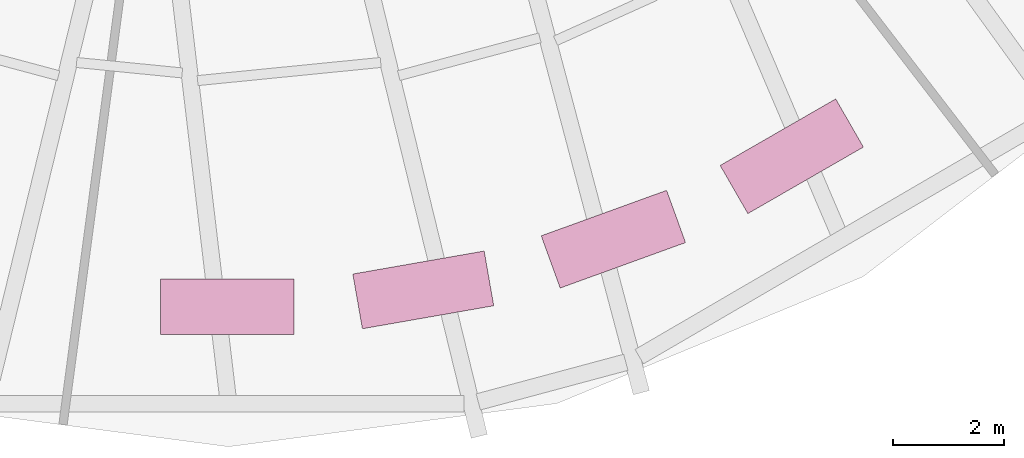
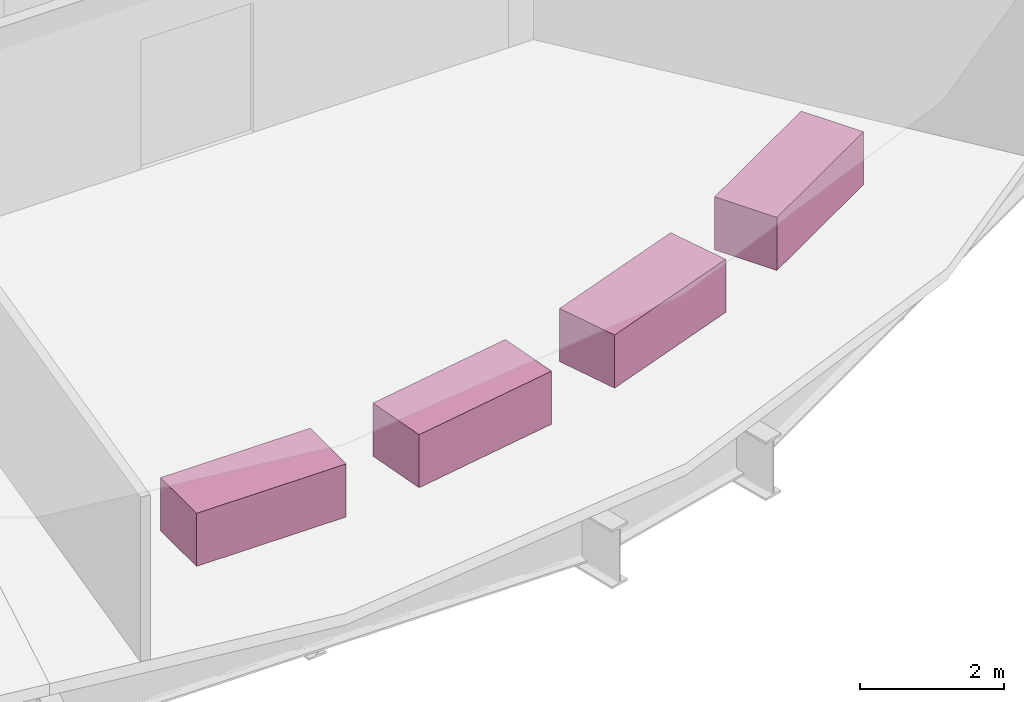
# One storey, part 7 of 7: 4 furniture elements.
"""IFC4 building model written with IfcOpenShell, lengths in metres."""

import ifcopenshell
import ifcopenshell.guid

model = None  # the IFC model being written
_history = None  # IfcOwnerHistory: only IFC2X3 demands one
_inside = {}  # id of a spatial element -> (the spatial element, [elements in it])
_under = {}  # id of a project, library or spatial element -> (it, [spatial elements below it])
_declared = {}  # id of a project -> (the project, [libraries it declares])
_typed = {}  # id of a type object -> (the type object, [elements of that type])
_made_of = {}  # id of a material, layer set ... -> (it, [elements and type objects made of it])


def new_model(schema):
    """Start an empty IFC model of exactly this schema.

    Asked for "IFC4X3", IfcOpenShell would pick the latest addendum, in which some entities
    have other attributes; the version numbers below select the first issue.
    IFC2X3 requires an IfcOwnerHistory on every rooted entity: one is made here for all.
    """
    global model, _history
    if schema == "IFC4X3":
        model = ifcopenshell.file(schema_version=(4, 3, 0, 0))
    else:
        model = ifcopenshell.file(schema=schema)
    _inside.clear()
    _under.clear()
    _declared.clear()
    _typed.clear()
    _made_of.clear()
    _history = None
    if model.schema == "IFC2X3":
        org = make("IfcOrganization", Name="unknown")
        user = make(
            "IfcPersonAndOrganization",
            ThePerson=make("IfcPerson", FamilyName="unknown"),
            TheOrganization=org,
        )
        app = make(
            "IfcApplication",
            ApplicationDeveloper=org,
            Version="unknown",
            ApplicationFullName="unknown",
            ApplicationIdentifier="unknown",
        )
        _history = make(
            "IfcOwnerHistory",
            OwningUser=user,
            OwningApplication=app,
            ChangeAction="ADDED",
            CreationDate=0,
        )
    return model


def make(cls, **values):
    """One entity of the class cls with the attributes given. An attribute that is None is left unset."""
    return model.create_entity(
        cls, **{name: value for name, value in values.items() if value is not None}
    )


def rooted(cls, **values):
    """An entity with a GlobalId (a new one), such as an element, a storey or a relation."""
    return make(cls, GlobalId=ifcopenshell.guid.new(), OwnerHistory=_history, **values)


def si_unit(unit_type, name, prefix=None):
    """IfcSIUnit, for example si_unit("LENGTHUNIT", "METRE", prefix="MILLI")."""
    return make("IfcSIUnit", UnitType=unit_type, Prefix=prefix, Name=name)


def assignment(units):
    """IfcUnitAssignment: the units of a project."""
    return None if units is None else make("IfcUnitAssignment", Units=units)


def point(xyz):
    """IfcCartesianPoint."""
    return None if xyz is None else make("IfcCartesianPoint", Coordinates=xyz)


def direction(xyz):
    """IfcDirection."""
    return None if xyz is None else make("IfcDirection", DirectionRatios=xyz)


def frame(location, z_axis=None, x_axis=None):
    """IfcAxis2Placement3D, a coordinate frame: its origin and axes. An axis left out is left unset."""
    return make(
        "IfcAxis2Placement3D",
        Location=point(location),
        Axis=direction(z_axis),
        RefDirection=direction(x_axis),
    )


def frame_2d(location, x_axis=None):
    """IfcAxis2Placement2D, a coordinate frame in the plane: its origin and x axis."""
    return make(
        "IfcAxis2Placement2D", Location=point(location), RefDirection=direction(x_axis)
    )


def origin():
    """The frame at (0, 0, 0) with its axes left unset."""
    return frame((0.0, 0.0, 0.0))


def origin_2d():
    """The frame at (0, 0) in the plane with its x axis left unset."""
    return frame_2d((0.0, 0.0))


def place(relative_to, where):
    """IfcLocalPlacement: puts the frame where relative to a parent placement (None: the world)."""
    return make(
        "IfcLocalPlacement", PlacementRelTo=relative_to, RelativePlacement=where
    )


def context(
    kind, dimensions, precision=None, world=None, true_north=None, identifier=None
):
    """IfcGeometricRepresentationContext, for example the 3D "Model" context."""
    return make(
        "IfcGeometricRepresentationContext",
        ContextIdentifier=identifier,
        ContextType=kind,
        CoordinateSpaceDimension=dimensions,
        Precision=precision,
        WorldCoordinateSystem=world,
        TrueNorth=true_north,
    )


def subcontext(parent, identifier, kind, view, scale=None):
    """IfcGeometricRepresentationSubContext, for example "Body" below "Model"."""
    return make(
        "IfcGeometricRepresentationSubContext",
        ContextIdentifier=identifier,
        ContextType=kind,
        ParentContext=parent,
        TargetScale=scale,
        TargetView=view,
    )


def project(units=None, contexts=None):
    """IfcProject with its units and contexts."""
    return rooted(
        "IfcProject",
        Name="project",
        RepresentationContexts=contexts,
        UnitsInContext=assignment(units),
    )


def spatial(cls, under=None, at=None, **own):
    """A site, building, storey or space (cls), placed at a placement, below another one or the project."""
    s = rooted(cls, ObjectPlacement=at, **own)
    if under is not None:
        _under.setdefault(under.id(), (under, []))[1].append(s)
    return s


def profile(cls, at=None, kind="AREA", **sizes):
    """A parametric profile (cls). Its sizes go by their IFC names, for example OverallWidth=200.0."""
    return make(cls, ProfileType=kind, Position=at, **sizes)


def rectangle(**sizes):
    """IfcRectangleProfileDef."""
    return profile("IfcRectangleProfileDef", **sizes)


def extrude(swept, where, along, depth):
    """IfcExtrudedAreaSolid: the profile swept, set in the frame where, extruded along a direction by depth."""
    return make(
        "IfcExtrudedAreaSolid",
        SweptArea=swept,
        Position=where,
        ExtrudedDirection=direction(along),
        Depth=depth,
    )


def shape(context_of_items, identifier, shape_type, items):
    """IfcShapeRepresentation: the items that make up one representation, for example the "Body"."""
    return make(
        "IfcShapeRepresentation",
        ContextOfItems=context_of_items,
        RepresentationIdentifier=identifier,
        RepresentationType=shape_type,
        Items=items,
    )


def made_of(thing, what):
    """Note that an element or type object is made of a material, layer set ...; save() writes the relation."""
    if what is not None:
        _made_of.setdefault(what.id(), (what, []))[1].append(thing)
    return thing


def element(
    cls,
    number,
    at=None,
    inside=None,
    cuts=None,
    type_object=None,
    material=None,
    context=None,
    identifier="Body",
    shape_type=None,
    held_by="IfcProductDefinitionShape",
    body=None,
    shapes=None,
    **own,
):
    """One element of the class cls, such as IfcWall. Its Tag is "e" and its number.

    at: its placement. inside: the storey or other place that contains it. cuts: it is an
    opening in that element (IfcRelVoidsElement). A single representation is given by context,
    identifier, shape_type and body (its items); several are given by shapes. held_by: the class
    of the entity that holds the representations. save() writes the other relations.
    """
    e = rooted(cls, Tag="e%d" % number, ObjectPlacement=at, **own)
    if body is not None:
        shapes = [shape(context, identifier, shape_type, body)]
    if shapes is not None:
        e.Representation = make(held_by, Representations=shapes)
    if inside is not None:
        _inside.setdefault(inside.id(), (inside, []))[1].append(e)
    if cuts is not None:
        rooted(
            "IfcRelVoidsElement", RelatingBuildingElement=cuts, RelatedOpeningElement=e
        )
    if type_object is not None:
        _typed.setdefault(type_object.id(), (type_object, []))[1].append(e)
    return made_of(e, material)


def aggregate(whole, parts):
    """IfcRelAggregates: a whole, such as a stair, and the parts it consists of."""
    return rooted("IfcRelAggregates", RelatingObject=whole, RelatedObjects=parts)


def save(model, path):
    """Write the relations noted so far, then the file.

    IfcRelAggregates (storeys below a building ...), IfcRelContainedInSpatialStructure (elements
    in a storey), IfcRelDefinesByType, IfcRelAssociatesMaterial and IfcRelDeclares: one each for
    every whole, place, type object, material and project.
    """
    for whole, parts in _under.values():
        aggregate(whole, parts)
    for where, things in _inside.values():
        rooted(
            "IfcRelContainedInSpatialStructure",
            RelatedElements=things,
            RelatingStructure=where,
        )
    for kind, things in _typed.values():
        rooted("IfcRelDefinesByType", RelatedObjects=things, RelatingType=kind)
    for what, things in _made_of.values():
        rooted("IfcRelAssociatesMaterial", RelatedObjects=things, RelatingMaterial=what)
    for by, libraries in _declared.values():
        rooted("IfcRelDeclares", RelatingContext=by, RelatedDefinitions=libraries)
    model.write(path)


model = new_model("IFC4")

# Units and contexts
model_context = context("Model", 3, precision=1e-05, world=origin(), true_north=direction((0.0, 1.0)))
body_context = subcontext(model_context, "Body", "Model", "MODEL_VIEW")
ifc_project = project(units=[si_unit("LENGTHUNIT", "METRE"), si_unit("AREAUNIT", "SQUARE_METRE"), si_unit("VOLUMEUNIT", "CUBIC_METRE"), si_unit("PLANEANGLEUNIT", "RADIAN"), si_unit("MASSUNIT", "GRAM", prefix="KILO")], contexts=[model_context])

# Site, building, storey
site_placement = place(None, origin())
site = spatial("IfcSite", under=ifc_project, at=site_placement, CompositionType="ELEMENT")
building_placement = place(site_placement, origin())
building = spatial("IfcBuilding", under=site, at=building_placement, Name="Golbaran Civic Tower", CompositionType="ELEMENT")
storey_placement = place(building_placement, frame((0.0, 0.0, 236.0)))
storey = spatial("IfcBuildingStorey", under=building, at=storey_placement, Name="L57", CompositionType="ELEMENT", Elevation=236.0)

# Furniture
for number, where, z_axis, x_axis, name in (
    (1, (-0.0244140625, -20.31298828125, 0.0), (0.0, 0.0, 1.0), (0.999999276434, -0.001202967897, 0.0), "Sky garden planter L57-1"),
    (2, (3.503173828125, -20.008544921875, 0.0), (0.0, 0.0, 1.0), (0.985015933622, 0.17246335991, 0.0), "Sky garden planter L57-2"),
    (3, (6.924560546875, -19.096435546875, 0.0), (0.0, 0.0, 1.0), (0.940103380109, 0.340889475796, 0.0), "Sky garden planter L57-3"),
    (4, (10.13525390625, -17.603759765625, 0.0), (0.0, 0.0, 1.0), (0.866626261106, 0.498957837458, 0.0), "Sky garden planter L57-4"),
):
    element("IfcFurniture", number, at=place(storey_placement, frame(where, z_axis=z_axis, x_axis=x_axis)), inside=storey, Name=name, ObjectType="PLANTER", PredefinedType="USERDEFINED", context=body_context, shape_type="SweptSolid", body=[
        extrude(rectangle(XDim=2.39990234375, YDim=1.0, at=origin_2d()), origin(), (0.0, 0.0, 1.0), 0.89990234375),
    ])

save(model, "model.ifc")
